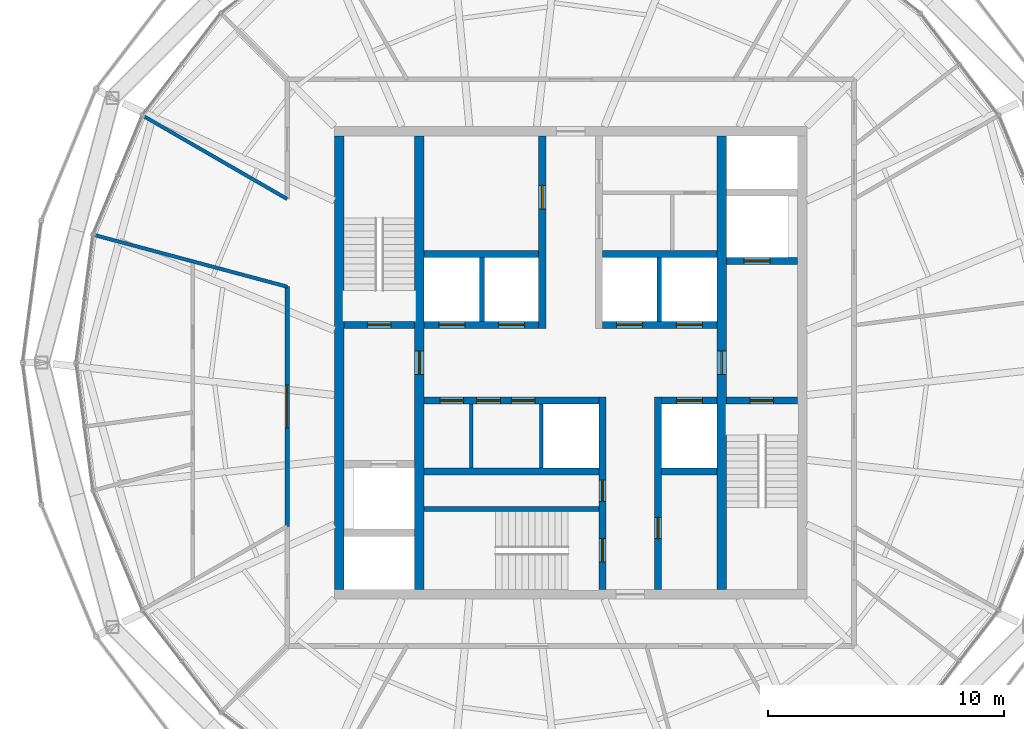
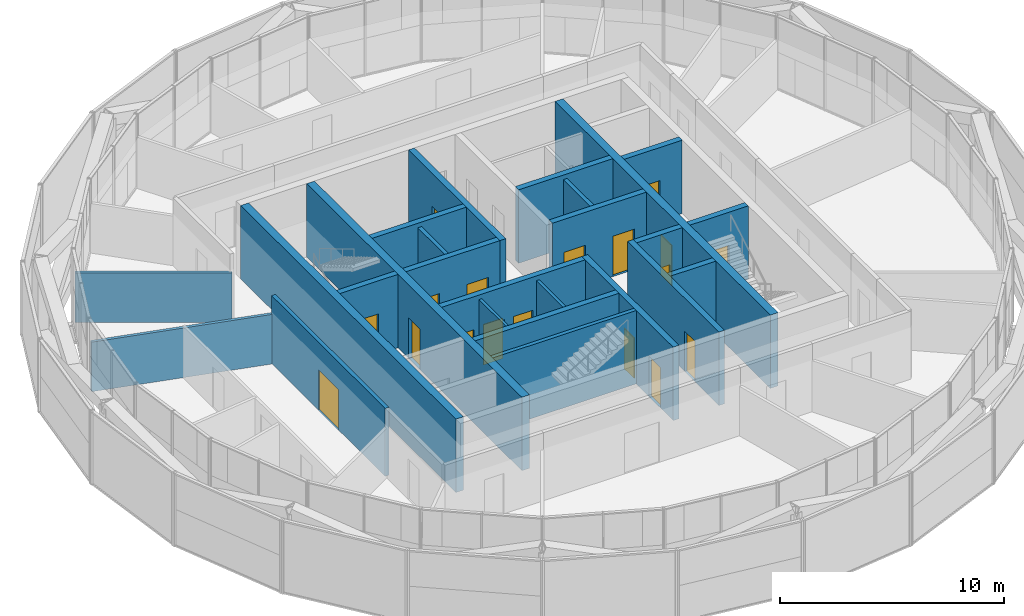
# One storey, part 14 of 17: 25 walls, 18 doors, 18 openings.
"""IFC4 building model written with IfcOpenShell, lengths in metres."""

import ifcopenshell
import ifcopenshell.guid

model = None  # the IFC model being written
_history = None  # IfcOwnerHistory: only IFC2X3 demands one
_inside = {}  # id of a spatial element -> (the spatial element, [elements in it])
_under = {}  # id of a project, library or spatial element -> (it, [spatial elements below it])
_declared = {}  # id of a project -> (the project, [libraries it declares])
_typed = {}  # id of a type object -> (the type object, [elements of that type])
_made_of = {}  # id of a material, layer set ... -> (it, [elements and type objects made of it])


def new_model(schema):
    """Start an empty IFC model of exactly this schema.

    Asked for "IFC4X3", IfcOpenShell would pick the latest addendum, in which some entities
    have other attributes; the version numbers below select the first issue.
    IFC2X3 requires an IfcOwnerHistory on every rooted entity: one is made here for all.
    """
    global model, _history
    if schema == "IFC4X3":
        model = ifcopenshell.file(schema_version=(4, 3, 0, 0))
    else:
        model = ifcopenshell.file(schema=schema)
    _inside.clear()
    _under.clear()
    _declared.clear()
    _typed.clear()
    _made_of.clear()
    _history = None
    if model.schema == "IFC2X3":
        org = make("IfcOrganization", Name="unknown")
        user = make(
            "IfcPersonAndOrganization",
            ThePerson=make("IfcPerson", FamilyName="unknown"),
            TheOrganization=org,
        )
        app = make(
            "IfcApplication",
            ApplicationDeveloper=org,
            Version="unknown",
            ApplicationFullName="unknown",
            ApplicationIdentifier="unknown",
        )
        _history = make(
            "IfcOwnerHistory",
            OwningUser=user,
            OwningApplication=app,
            ChangeAction="ADDED",
            CreationDate=0,
        )
    return model


def make(cls, **values):
    """One entity of the class cls with the attributes given. An attribute that is None is left unset."""
    return model.create_entity(
        cls, **{name: value for name, value in values.items() if value is not None}
    )


def rooted(cls, **values):
    """An entity with a GlobalId (a new one), such as an element, a storey or a relation."""
    return make(cls, GlobalId=ifcopenshell.guid.new(), OwnerHistory=_history, **values)


def si_unit(unit_type, name, prefix=None):
    """IfcSIUnit, for example si_unit("LENGTHUNIT", "METRE", prefix="MILLI")."""
    return make("IfcSIUnit", UnitType=unit_type, Prefix=prefix, Name=name)


def assignment(units):
    """IfcUnitAssignment: the units of a project."""
    return None if units is None else make("IfcUnitAssignment", Units=units)


def point(xyz):
    """IfcCartesianPoint."""
    return None if xyz is None else make("IfcCartesianPoint", Coordinates=xyz)


def direction(xyz):
    """IfcDirection."""
    return None if xyz is None else make("IfcDirection", DirectionRatios=xyz)


def frame(location, z_axis=None, x_axis=None):
    """IfcAxis2Placement3D, a coordinate frame: its origin and axes. An axis left out is left unset."""
    return make(
        "IfcAxis2Placement3D",
        Location=point(location),
        Axis=direction(z_axis),
        RefDirection=direction(x_axis),
    )


def frame_2d(location, x_axis=None):
    """IfcAxis2Placement2D, a coordinate frame in the plane: its origin and x axis."""
    return make(
        "IfcAxis2Placement2D", Location=point(location), RefDirection=direction(x_axis)
    )


def origin():
    """The frame at (0, 0, 0) with its axes left unset."""
    return frame((0.0, 0.0, 0.0))


def place(relative_to, where):
    """IfcLocalPlacement: puts the frame where relative to a parent placement (None: the world)."""
    return make(
        "IfcLocalPlacement", PlacementRelTo=relative_to, RelativePlacement=where
    )


def context(
    kind, dimensions, precision=None, world=None, true_north=None, identifier=None
):
    """IfcGeometricRepresentationContext, for example the 3D "Model" context."""
    return make(
        "IfcGeometricRepresentationContext",
        ContextIdentifier=identifier,
        ContextType=kind,
        CoordinateSpaceDimension=dimensions,
        Precision=precision,
        WorldCoordinateSystem=world,
        TrueNorth=true_north,
    )


def subcontext(parent, identifier, kind, view, scale=None):
    """IfcGeometricRepresentationSubContext, for example "Body" below "Model"."""
    return make(
        "IfcGeometricRepresentationSubContext",
        ContextIdentifier=identifier,
        ContextType=kind,
        ParentContext=parent,
        TargetScale=scale,
        TargetView=view,
    )


def project(units=None, contexts=None):
    """IfcProject with its units and contexts."""
    return rooted(
        "IfcProject",
        Name="project",
        RepresentationContexts=contexts,
        UnitsInContext=assignment(units),
    )


def spatial(cls, under=None, at=None, **own):
    """A site, building, storey or space (cls), placed at a placement, below another one or the project."""
    s = rooted(cls, ObjectPlacement=at, **own)
    if under is not None:
        _under.setdefault(under.id(), (under, []))[1].append(s)
    return s


def profile(cls, at=None, kind="AREA", **sizes):
    """A parametric profile (cls). Its sizes go by their IFC names, for example OverallWidth=200.0."""
    return make(cls, ProfileType=kind, Position=at, **sizes)


def rectangle(**sizes):
    """IfcRectangleProfileDef."""
    return profile("IfcRectangleProfileDef", **sizes)


def extrude(swept, where, along, depth):
    """IfcExtrudedAreaSolid: the profile swept, set in the frame where, extruded along a direction by depth."""
    return make(
        "IfcExtrudedAreaSolid",
        SweptArea=swept,
        Position=where,
        ExtrudedDirection=direction(along),
        Depth=depth,
    )


def shape(context_of_items, identifier, shape_type, items):
    """IfcShapeRepresentation: the items that make up one representation, for example the "Body"."""
    return make(
        "IfcShapeRepresentation",
        ContextOfItems=context_of_items,
        RepresentationIdentifier=identifier,
        RepresentationType=shape_type,
        Items=items,
    )


def material(Name=None, Category=None):
    """IfcMaterial."""
    return make("IfcMaterial", Name=Name, Category=Category)


def layer(
    of_material, thickness, ventilated=None, Name=None, Category=None, Priority=None
):
    """IfcMaterialLayer: one layer of a wall or slab, of a material (None: an air gap)."""
    return make(
        "IfcMaterialLayer",
        Material=of_material,
        LayerThickness=thickness,
        IsVentilated=ventilated,
        Name=Name,
        Category=Category,
        Priority=Priority,
    )


def layer_set(layers, Name=None):
    """IfcMaterialLayerSet."""
    return make("IfcMaterialLayerSet", MaterialLayers=layers, LayerSetName=Name)


def made_of(thing, what):
    """Note that an element or type object is made of a material, layer set ...; save() writes the relation."""
    if what is not None:
        _made_of.setdefault(what.id(), (what, []))[1].append(thing)
    return thing


def type_object(cls, material=None, **own):
    """A type object (cls), such as IfcWallType, which elements share."""
    return made_of(rooted(cls, **own), material)


def element(
    cls,
    number,
    at=None,
    inside=None,
    cuts=None,
    type_object=None,
    material=None,
    context=None,
    identifier="Body",
    shape_type=None,
    held_by="IfcProductDefinitionShape",
    body=None,
    shapes=None,
    **own,
):
    """One element of the class cls, such as IfcWall. Its Tag is "e" and its number.

    at: its placement. inside: the storey or other place that contains it. cuts: it is an
    opening in that element (IfcRelVoidsElement). A single representation is given by context,
    identifier, shape_type and body (its items); several are given by shapes. held_by: the class
    of the entity that holds the representations. save() writes the other relations.
    """
    e = rooted(cls, Tag="e%d" % number, ObjectPlacement=at, **own)
    if body is not None:
        shapes = [shape(context, identifier, shape_type, body)]
    if shapes is not None:
        e.Representation = make(held_by, Representations=shapes)
    if inside is not None:
        _inside.setdefault(inside.id(), (inside, []))[1].append(e)
    if cuts is not None:
        rooted(
            "IfcRelVoidsElement", RelatingBuildingElement=cuts, RelatedOpeningElement=e
        )
    if type_object is not None:
        _typed.setdefault(type_object.id(), (type_object, []))[1].append(e)
    return made_of(e, material)


def fill(opening, filler):
    """IfcRelFillsElement: the door or window that sits in an opening."""
    return rooted(
        "IfcRelFillsElement",
        RelatingOpeningElement=opening,
        RelatedBuildingElement=filler,
    )


def aggregate(whole, parts):
    """IfcRelAggregates: a whole, such as a stair, and the parts it consists of."""
    return rooted("IfcRelAggregates", RelatingObject=whole, RelatedObjects=parts)


def save(model, path):
    """Write the relations noted so far, then the file.

    IfcRelAggregates (storeys below a building ...), IfcRelContainedInSpatialStructure (elements
    in a storey), IfcRelDefinesByType, IfcRelAssociatesMaterial and IfcRelDeclares: one each for
    every whole, place, type object, material and project.
    """
    for whole, parts in _under.values():
        aggregate(whole, parts)
    for where, things in _inside.values():
        rooted(
            "IfcRelContainedInSpatialStructure",
            RelatedElements=things,
            RelatingStructure=where,
        )
    for kind, things in _typed.values():
        rooted("IfcRelDefinesByType", RelatedObjects=things, RelatingType=kind)
    for what, things in _made_of.values():
        rooted("IfcRelAssociatesMaterial", RelatedObjects=things, RelatingMaterial=what)
    for by, libraries in _declared.values():
        rooted("IfcRelDeclares", RelatingContext=by, RelatedDefinitions=libraries)
    model.write(path)


model = new_model("IFC4")

# Units and contexts
model_context = context("Model", 3, precision=1e-05, world=origin(), true_north=direction((0.0, 1.0)))
body_context = subcontext(model_context, "Body", "Model", "MODEL_VIEW")
ifc_project = project(units=[si_unit("LENGTHUNIT", "METRE"), si_unit("AREAUNIT", "SQUARE_METRE"), si_unit("VOLUMEUNIT", "CUBIC_METRE"), si_unit("PLANEANGLEUNIT", "RADIAN"), si_unit("MASSUNIT", "GRAM", prefix="KILO")], contexts=[model_context])

# Site, building, storey
site_placement = place(None, origin())
site = spatial("IfcSite", under=ifc_project, at=site_placement, CompositionType="ELEMENT")
building_placement = place(site_placement, origin())
building = spatial("IfcBuilding", under=site, at=building_placement, Name="Golbaran Civic Tower", CompositionType="ELEMENT")
storey_placement = place(building_placement, frame((0.0, 0.0, 280.0)))
storey = spatial("IfcBuildingStorey", under=building, at=storey_placement, Name="L68", CompositionType="ELEMENT", Elevation=280.0)

# Walls
ifc_material_1 = material(Name="Concrete block", Category="concrete")
ifc_layer_1 = layer(ifc_material_1, 0.14990234375, Name="Concrete block")
ifc_layer_set_1 = layer_set([ifc_layer_1], Name="Concrete block")
wall_type_1 = type_object("IfcWallType", Name="BLOCKWORK PARTITION 150", PredefinedType="PARTITIONING", material=ifc_layer_set_1)
for number, where, z_axis, x_axis, name in (
    (1, (-4.199951171875, -1.75, 0.0), (0.0, 0.0, 1.0), (0.0, -1.0, 0.0), "Core room partition HP0 L68"),
    (2, (-1.25, -1.75, 0.0), (0.0, 0.0, 1.0), (0.0, -1.0, 0.0), "Lift H3 hoistway west wall L68"),
):
    element("IfcWall", number, at=place(storey_placement, frame(where, z_axis=z_axis, x_axis=x_axis)), inside=storey, type_object=wall_type_1, Name=name, PredefinedType="PARTITIONING", context=body_context, shape_type="SweptSolid", body=[
        extrude(rectangle(XDim=2.699951171875, YDim=0.14990234375, at=frame_2d((1.35009765625, 0.0))), origin(), (0.0, 0.0, 1.0), 3.75),
    ])
ifc_material_2 = material(Name="Concrete C50/60", Category="concrete")
ifc_layer_2 = layer(ifc_material_2, 0.39990234375, Name="Concrete C50/60")
ifc_layer_set_2 = layer_set([ifc_layer_2], Name="Concrete C50/60")
wall_type_2 = type_object("IfcWallType", Name="CORE WALL CONCRETE 400", PredefinedType="SOLIDWALL", material=ifc_layer_set_2)
wall_1_placement = place(storey_placement, frame((-9.800048828125, 9.60009765625, 0.0), z_axis=(0.0, 0.0, 1.0), x_axis=(0.0, -1.0, 0.0)))
element("IfcWall", 3, at=wall_1_placement, inside=storey, type_object=wall_type_2, Name="Core wall CW L68", PredefinedType="SOLIDWALL", context=body_context, shape_type="SweptSolid", body=[
    extrude(rectangle(XDim=19.2001953125, YDim=0.39990234375, at=frame_2d((9.60009765625, 0.0))), origin(), (0.0, 0.0, 1.0), 4.0),
])

# Wall, opening, door
wall_2_placement = place(storey_placement, frame((-6.39990234375, -9.60009765625, 0.0), z_axis=(0.0, 0.0, 1.0), x_axis=(0.0, 1.0, 0.0)))
wall_2 = element("IfcWall", 4, at=wall_2_placement, inside=storey, type_object=wall_type_2, Name="Core wall IW L68", PredefinedType="SOLIDWALL", context=body_context, shape_type="SweptSolid", body=[
    extrude(rectangle(XDim=19.2001953125, YDim=0.39990234375, at=frame_2d((9.60009765625, 0.0))), origin(), (0.0, 0.0, 1.0), 4.0),
])
opening_1_placement = place(wall_2_placement, frame((9.10009765625, 0.0, 0.0)))
opening_1 = element("IfcOpeningElement", 5, at=opening_1_placement, cuts=wall_2, Name="Opening L68.FL1", PredefinedType="OPENING", context=body_context, shape_type="SweptSolid", body=[
    extrude(rectangle(XDim=1.0, YDim=2.199951171875, at=frame_2d((0.5, 1.10009765625))), frame((0.0, 0.2099609375, 0.0), z_axis=(0.0, -1.0, 0.0), x_axis=(1.0, 0.0, 0.0)), (0.0, 0.0, 1.0), 0.419921875),
])
ifc_material_3 = material(Name="Timber door set in steel frame", Category="steel")
door_type_1 = type_object("IfcDoorType", Name="STAIR DOOR 1000x2200", OperationType="SINGLE_SWING_LEFT", PredefinedType="DOOR", material=ifc_material_3)
door_1_placement = place(opening_1_placement, origin())
door_1 = element("IfcDoor", 6, at=door_1_placement, inside=storey, type_object=door_type_1, Name="Fire-fighting lobby FL1 door", OperationType="SINGLE_SWING_LEFT", OverallHeight=2.199951171875, OverallWidth=1.0, PredefinedType="DOOR", context=body_context, shape_type="SweptSolid", body=[
    extrude(rectangle(XDim=1.0, YDim=2.199951171875, at=frame_2d((0.5, 1.10009765625))), frame((0.0, 0.02490234375, 0.0), z_axis=(0.0, -1.0, 0.0), x_axis=(1.0, 0.0, 0.0)), (0.0, 0.0, 1.0), 0.050048828125),
])
fill(opening_1, door_1)

wall_3_placement = place(storey_placement, frame((6.39990234375, 9.60009765625, 0.0), z_axis=(0.0, 0.0, 1.0), x_axis=(0.0, -1.0, 0.0)))
wall_3 = element("IfcWall", 7, at=wall_3_placement, inside=storey, type_object=wall_type_2, Name="Core wall IE L68", PredefinedType="SOLIDWALL", context=body_context, shape_type="SweptSolid", body=[
    extrude(rectangle(XDim=19.2001953125, YDim=0.39990234375, at=frame_2d((9.60009765625, 0.0))), origin(), (0.0, 0.0, 1.0), 4.0),
])
opening_2_placement = place(wall_3_placement, frame((9.10009765625, 0.0, 0.0)))
opening_2 = element("IfcOpeningElement", 8, at=opening_2_placement, cuts=wall_3, Name="Opening L68.FL2", PredefinedType="OPENING", context=body_context, shape_type="SweptSolid", body=[
    extrude(rectangle(XDim=1.0, YDim=2.199951171875, at=frame_2d((0.5, 1.10009765625))), frame((0.0, 0.2099609375, 0.0), z_axis=(0.0, -1.0, 0.0), x_axis=(1.0, 0.0, 0.0)), (0.0, 0.0, 1.0), 0.419921875),
])
door_2_placement = place(opening_2_placement, origin())
door_2 = element("IfcDoor", 9, at=door_2_placement, inside=storey, type_object=door_type_1, Name="Fire-fighting lobby FL2 door", OperationType="SINGLE_SWING_RIGHT", OverallHeight=2.199951171875, OverallWidth=1.0, PredefinedType="DOOR", context=body_context, shape_type="SweptSolid", body=[
    extrude(rectangle(XDim=1.0, YDim=2.199951171875, at=frame_2d((0.5, 1.10009765625))), frame((0.0, 0.02490234375, 0.0), z_axis=(0.0, -1.0, 0.0), x_axis=(1.0, 0.0, 0.0)), (0.0, 0.0, 1.0), 0.050048828125),
])
fill(opening_2, door_2)

ifc_material_4 = material(Name="Gypsum board on steel studs, fire-rated", Category="steel")
ifc_layer_3 = layer(ifc_material_4, 0.199951171875, Name="Gypsum board on steel studs, fire-rated")
ifc_layer_set_3 = layer_set([ifc_layer_3], Name="Gypsum board on steel studs, fire-rated")
wall_type_3 = type_object("IfcWallType", Name="CORRIDOR WALL 200", PredefinedType="PARTITIONING", material=ifc_layer_set_3)
wall_4_placement = place(storey_placement, frame((-12.0, 3.21533203125, 0.0), z_axis=(0.0, 0.0, 1.0), x_axis=(0.0, -1.0, 0.0)))
wall_4 = element("IfcWall", 10, at=wall_4_placement, inside=storey, type_object=wall_type_3, Name="Corridor wall L68", PredefinedType="PARTITIONING", context=body_context, shape_type="SweptSolid", body=[
    extrude(rectangle(XDim=10.1435546875, YDim=0.199951171875, at=frame_2d((5.07177734375, 0.0))), origin(), (0.0, 0.0, 1.0), 3.699951171875),
])
opening_3_placement = place(wall_4_placement, frame((4.171875, 0.0, 0.0)))
opening_3 = element("IfcOpeningElement", 11, at=opening_3_placement, cuts=wall_4, Name="Opening L68.15", PredefinedType="OPENING", context=body_context, shape_type="SweptSolid", body=[
    extrude(rectangle(XDim=1.800048828125, YDim=2.199951171875, at=frame_2d((0.89990234375, 1.10009765625))), frame((0.0, 0.10986328125, 0.0), z_axis=(0.0, -1.0, 0.0), x_axis=(1.0, 0.0, 0.0)), (0.0, 0.0, 1.0), 0.219970703125),
])
door_type_2 = type_object("IfcDoorType", Name="OFFICE DOUBLE DOOR 1800x2200", OperationType="DOUBLE_DOOR_SINGLE_SWING", PredefinedType="DOOR", material=ifc_material_3)
door_3_placement = place(opening_3_placement, origin())
door_3 = element("IfcDoor", 12, at=door_3_placement, inside=storey, type_object=door_type_2, Name="Secretariat door L68", OperationType="DOUBLE_DOOR_SINGLE_SWING", OverallHeight=2.199951171875, OverallWidth=1.800048828125, PredefinedType="DOOR", context=body_context, shape_type="SweptSolid", body=[
    extrude(rectangle(XDim=1.800048828125, YDim=2.199951171875, at=frame_2d((0.89990234375, 1.10009765625))), frame((0.0, 0.02490234375, 0.0), z_axis=(0.0, -1.0, 0.0), x_axis=(1.0, 0.0, 0.0)), (0.0, 0.0, 1.0), 0.050048828125),
])
fill(opening_3, door_3)

# Walls
ifc_layer_4 = layer(ifc_material_1, 0.199951171875, Name="Concrete block")
ifc_layer_set_4 = layer_set([ifc_layer_4], Name="Concrete block")
wall_type_4 = type_object("IfcWallType", Name="LIFT SEPARATOR WALL 200", PredefinedType="SOLIDWALL", material=ifc_layer_set_4)
for number, where, z_axis, x_axis, name in (
    (13, (-3.75, 1.75, 0.0), (0.0, 0.0, 1.0), (0.0, 1.0, 0.0), "Core partition SNW L68"),
    (14, (3.75, 1.75, 0.0), (0.0, 0.0, 1.0), (0.0, 1.0, 0.0), "Core partition SNE L68"),
):
    element("IfcWall", number, at=place(storey_placement, frame(where, z_axis=z_axis, x_axis=x_axis)), inside=storey, type_object=wall_type_4, Name=name, PredefinedType="SOLIDWALL", context=body_context, shape_type="SweptSolid", body=[
        extrude(rectangle(XDim=2.699951171875, YDim=0.199951171875, at=frame_2d((1.35009765625, 0.0))), origin(), (0.0, 0.0, 1.0), 3.75),
    ])
ifc_material_5 = material(Name="Gypsum board on steel studs", Category="steel")
ifc_layer_5 = layer(ifc_material_5, 0.14990234375, Name="Gypsum board on steel studs")
ifc_layer_set_5 = layer_set([ifc_layer_5], Name="Gypsum board on steel studs")
wall_type_5 = type_object("IfcWallType", Name="OFFICE PARTITION 150", PredefinedType="PARTITIONING", material=ifc_layer_set_5)
wall_5_placement = place(storey_placement, frame((-12.0, 6.92822265625, 0.0), z_axis=(0.0, 0.0, 1.0), x_axis=(-0.866031452229, 0.49998952364, 0.0)))
element("IfcWall", 15, at=wall_5_placement, inside=storey, type_object=wall_type_5, Name="Partition 150 L68", PredefinedType="PARTITIONING", context=body_context, shape_type="SweptSolid", body=[
    extrude(rectangle(XDim=6.989990234375, YDim=0.14990234375, at=frame_2d((3.4951171875, 0.0))), origin(), (0.0, 0.0, 1.0), 2.699951171875),
])
wall_6_placement = place(storey_placement, frame((-12.0, 3.21533203125, 0.0), z_axis=(0.0, 0.0, 1.0), x_axis=(-0.96592152797, 0.258835086115, 0.0)))
element("IfcWall", 16, at=wall_6_placement, inside=storey, type_object=wall_type_5, Name="Partition 165 L68", PredefinedType="PARTITIONING", context=body_context, shape_type="SweptSolid", body=[
    extrude(rectangle(XDim=8.423095703125, YDim=0.14990234375, at=frame_2d((4.21142578125, 0.0))), origin(), (0.0, 0.0, 1.0), 2.699951171875),
])
ifc_layer_6 = layer(ifc_material_2, 0.199951171875, Name="Concrete C50/60")
ifc_layer_set_6 = layer_set([ifc_layer_6], Name="Concrete C50/60")
wall_type_6 = type_object("IfcWallType", Name="SHAFT WALL CONCRETE 200", PredefinedType="SOLIDWALL", material=ifc_layer_set_6)
wall_7_placement = place(storey_placement, frame((-6.199951171875, -6.199951171875, 0.0), z_axis=(0.0, 0.0, 1.0), x_axis=(1.0, 0.0, 0.0)))
element("IfcWall", 17, at=wall_7_placement, inside=storey, type_object=wall_type_6, Name="Core wall S3N L68", PredefinedType="SOLIDWALL", context=body_context, shape_type="SweptSolid", body=[
    extrude(rectangle(XDim=7.39990234375, YDim=0.199951171875, at=frame_2d((3.699951171875, 0.0))), origin(), (0.0, 0.0, 1.0), 4.0),
])

# Wall, openings, doors
ifc_layer_7 = layer(ifc_material_2, 0.300048828125, Name="Concrete C50/60")
ifc_layer_set_7 = layer_set([ifc_layer_7], Name="Concrete C50/60")
wall_type_7 = type_object("IfcWallType", Name="SHAFT WALL CONCRETE 300", PredefinedType="SOLIDWALL", material=ifc_layer_set_7)
wall_8_placement = place(storey_placement, frame((-6.199951171875, 1.60009765625, 0.0), z_axis=(0.0, 0.0, 1.0), x_axis=(1.0, 0.0, 0.0)))
wall_8 = element("IfcWall", 18, at=wall_8_placement, inside=storey, type_object=wall_type_7, Name="Core wall FNW L68", PredefinedType="SOLIDWALL", context=body_context, shape_type="SweptSolid", body=[
    extrude(rectangle(XDim=4.849853515625, YDim=0.300048828125, at=frame_2d((2.4248046875, 0.0))), origin(), (0.0, 0.0, 1.0), 4.0),
])
opening_4_placement = place(wall_8_placement, frame((0.625, 0.0, 0.0)))
opening_4 = element("IfcOpeningElement", 19, at=opening_4_placement, cuts=wall_8, Name="Opening L68.LD-Z1T", PredefinedType="OPENING", context=body_context, shape_type="SweptSolid", body=[
    extrude(rectangle(XDim=1.10009765625, YDim=2.199951171875, at=frame_2d((0.550048828125, 1.10009765625))), frame((0.0, 0.159912109375, 0.0), z_axis=(0.0, -1.0, 0.0), x_axis=(1.0, 0.0, 0.0)), (0.0, 0.0, 1.0), 0.320068359375),
])
opening_5_placement = place(wall_8_placement, frame((3.14990234375, 0.0, 0.0)))
opening_5 = element("IfcOpeningElement", 20, at=opening_5_placement, cuts=wall_8, Name="Opening L68.LD-Z2T", PredefinedType="OPENING", context=body_context, shape_type="SweptSolid", body=[
    extrude(rectangle(XDim=1.10009765625, YDim=2.199951171875, at=frame_2d((0.550048828125, 1.10009765625))), frame((0.0, 0.159912109375, 0.0), z_axis=(0.0, -1.0, 0.0), x_axis=(1.0, 0.0, 0.0)), (0.0, 0.0, 1.0), 0.320068359375),
])
ifc_material_6 = material(Name="Stainless steel", Category="steel")
door_type_3 = type_object("IfcDoorType", Name="LIFT LANDING DOOR 1100x2200", OperationType="SLIDING_TO_LEFT", PredefinedType="DOOR", material=ifc_material_6)
door_4_placement = place(opening_4_placement, origin())
door_4 = element("IfcDoor", 21, at=door_4_placement, inside=storey, type_object=door_type_3, Name="Lift landing door Z1T", OperationType="SLIDING_TO_LEFT", OverallHeight=2.199951171875, OverallWidth=1.10009765625, PredefinedType="DOOR", context=body_context, shape_type="SweptSolid", body=[
    extrude(rectangle(XDim=1.10009765625, YDim=2.199951171875, at=frame_2d((0.550048828125, 1.10009765625))), frame((0.0, 0.02490234375, 0.0), z_axis=(0.0, -1.0, 0.0), x_axis=(1.0, 0.0, 0.0)), (0.0, 0.0, 1.0), 0.050048828125),
])
fill(opening_4, door_4)
door_5_placement = place(opening_5_placement, origin())
door_5 = element("IfcDoor", 22, at=door_5_placement, inside=storey, type_object=door_type_3, Name="Lift landing door Z2T", OperationType="SLIDING_TO_LEFT", OverallHeight=2.199951171875, OverallWidth=1.10009765625, PredefinedType="DOOR", context=body_context, shape_type="SweptSolid", body=[
    extrude(rectangle(XDim=1.10009765625, YDim=2.199951171875, at=frame_2d((0.550048828125, 1.10009765625))), frame((0.0, 0.02490234375, 0.0), z_axis=(0.0, -1.0, 0.0), x_axis=(1.0, 0.0, 0.0)), (0.0, 0.0, 1.0), 0.050048828125),
])
fill(opening_5, door_5)

wall_9_placement = place(storey_placement, frame((1.35009765625, 1.60009765625, 0.0), z_axis=(0.0, 0.0, 1.0), x_axis=(1.0, 0.0, 0.0)))
wall_9 = element("IfcWall", 23, at=wall_9_placement, inside=storey, type_object=wall_type_7, Name="Core wall FNE L68", PredefinedType="SOLIDWALL", context=body_context, shape_type="SweptSolid", body=[
    extrude(rectangle(XDim=4.849853515625, YDim=0.300048828125, at=frame_2d((2.4248046875, 0.0))), origin(), (0.0, 0.0, 1.0), 4.0),
])
opening_6_placement = place(wall_9_placement, frame((0.60009765625, 0.0, 0.0)))
opening_6 = element("IfcOpeningElement", 24, at=opening_6_placement, cuts=wall_9, Name="Opening L68.LD-Z3T", PredefinedType="OPENING", context=body_context, shape_type="SweptSolid", body=[
    extrude(rectangle(XDim=1.10009765625, YDim=2.199951171875, at=frame_2d((0.550048828125, 1.10009765625))), frame((0.0, 0.159912109375, 0.0), z_axis=(0.0, -1.0, 0.0), x_axis=(1.0, 0.0, 0.0)), (0.0, 0.0, 1.0), 0.320068359375),
])
opening_7_placement = place(wall_9_placement, frame((3.125, 0.0, 0.0)))
opening_7 = element("IfcOpeningElement", 25, at=opening_7_placement, cuts=wall_9, Name="Opening L68.LD-Z4T", PredefinedType="OPENING", context=body_context, shape_type="SweptSolid", body=[
    extrude(rectangle(XDim=1.10009765625, YDim=2.199951171875, at=frame_2d((0.550048828125, 1.10009765625))), frame((0.0, 0.159912109375, 0.0), z_axis=(0.0, -1.0, 0.0), x_axis=(1.0, 0.0, 0.0)), (0.0, 0.0, 1.0), 0.320068359375),
])
door_6_placement = place(opening_6_placement, origin())
door_6 = element("IfcDoor", 26, at=door_6_placement, inside=storey, type_object=door_type_3, Name="Lift landing door Z3T", OperationType="SLIDING_TO_LEFT", OverallHeight=2.199951171875, OverallWidth=1.10009765625, PredefinedType="DOOR", context=body_context, shape_type="SweptSolid", body=[
    extrude(rectangle(XDim=1.10009765625, YDim=2.199951171875, at=frame_2d((0.550048828125, 1.10009765625))), frame((0.0, 0.02490234375, 0.0), z_axis=(0.0, -1.0, 0.0), x_axis=(1.0, 0.0, 0.0)), (0.0, 0.0, 1.0), 0.050048828125),
])
fill(opening_6, door_6)
door_7_placement = place(opening_7_placement, origin())
door_7 = element("IfcDoor", 27, at=door_7_placement, inside=storey, type_object=door_type_3, Name="Lift landing door Z4T", OperationType="SLIDING_TO_LEFT", OverallHeight=2.199951171875, OverallWidth=1.10009765625, PredefinedType="DOOR", context=body_context, shape_type="SweptSolid", body=[
    extrude(rectangle(XDim=1.10009765625, YDim=2.199951171875, at=frame_2d((0.550048828125, 1.10009765625))), frame((0.0, 0.02490234375, 0.0), z_axis=(0.0, -1.0, 0.0), x_axis=(1.0, 0.0, 0.0)), (0.0, 0.0, 1.0), 0.050048828125),
])
fill(opening_7, door_7)

# Walls
for number, where, z_axis, x_axis, name in (
    (28, (-6.199951171875, 4.60009765625, 0.0), (0.0, 0.0, 1.0), (1.0, 0.0, 0.0), "Core wall BNW L68"),
    (29, (1.35009765625, 4.60009765625, 0.0), (0.0, 0.0, 1.0), (1.0, 0.0, 0.0), "Core wall BNE L68"),
):
    element("IfcWall", number, at=place(storey_placement, frame(where, z_axis=z_axis, x_axis=x_axis)), inside=storey, type_object=wall_type_7, Name=name, PredefinedType="SOLIDWALL", context=body_context, shape_type="SweptSolid", body=[
        extrude(rectangle(XDim=4.849853515625, YDim=0.300048828125, at=frame_2d((2.4248046875, 0.0))), origin(), (0.0, 0.0, 1.0), 4.0),
    ])

# Wall, opening, door
wall_10_placement = place(storey_placement, frame((-1.199951171875, 1.449951171875, 0.0), z_axis=(0.0, 0.0, 1.0), x_axis=(0.0, 1.0, 0.0)))
wall_10 = element("IfcWall", 30, at=wall_10_placement, inside=storey, type_object=wall_type_7, Name="Core wall PNW L68", PredefinedType="SOLIDWALL", context=body_context, shape_type="SweptSolid", body=[
    extrude(rectangle(XDim=8.150146484375, YDim=0.300048828125, at=frame_2d((4.0751953125, 0.0))), origin(), (0.0, 0.0, 1.0), 4.0),
])
opening_8_placement = place(wall_10_placement, frame((5.050048828125, 0.0, 0.0)))
opening_8 = element("IfcOpeningElement", 31, at=opening_8_placement, cuts=wall_10, Name="Opening L68.WCM", PredefinedType="OPENING", context=body_context, shape_type="SweptSolid", body=[
    extrude(rectangle(XDim=1.0, YDim=2.199951171875, at=frame_2d((0.5, 1.10009765625))), frame((0.0, 0.159912109375, 0.0), z_axis=(0.0, -1.0, 0.0), x_axis=(1.0, 0.0, 0.0)), (0.0, 0.0, 1.0), 0.320068359375),
])
door_type_4 = type_object("IfcDoorType", Name="TOILET DOOR 1000x2200", OperationType="SINGLE_SWING_LEFT", PredefinedType="DOOR", material=ifc_material_3)
door_8_placement = place(opening_8_placement, origin())
door_8 = element("IfcDoor", 32, at=door_8_placement, inside=storey, type_object=door_type_4, Name="North-west toilet block door", OperationType="SINGLE_SWING_RIGHT", OverallHeight=2.199951171875, OverallWidth=1.0, PredefinedType="DOOR", context=body_context, shape_type="SweptSolid", body=[
    extrude(rectangle(XDim=1.0, YDim=2.199951171875, at=frame_2d((0.5, 1.10009765625))), frame((0.0, 0.02490234375, 0.0), z_axis=(0.0, -1.0, 0.0), x_axis=(1.0, 0.0, 0.0)), (0.0, 0.0, 1.0), 0.050048828125),
])
fill(opening_8, door_8)

# Wall, openings, doors
wall_11_placement = place(storey_placement, frame((-6.199951171875, -1.60009765625, 0.0), z_axis=(0.0, 0.0, 1.0), x_axis=(1.0, 0.0, 0.0)))
wall_11 = element("IfcWall", 33, at=wall_11_placement, inside=storey, type_object=wall_type_7, Name="Core wall FSW L68", PredefinedType="SOLIDWALL", context=body_context, shape_type="SweptSolid", body=[
    extrude(rectangle(XDim=7.39990234375, YDim=0.300048828125, at=frame_2d((3.699951171875, 0.0))), origin(), (0.0, 0.0, 1.0), 4.0),
])
opening_9_placement = place(wall_11_placement, frame((0.675048828125, 0.0, 0.0)))
opening_9 = element("IfcOpeningElement", 34, at=opening_9_placement, cuts=wall_11, Name="Opening L68.H1R", PredefinedType="OPENING", context=body_context, shape_type="SweptSolid", body=[
    extrude(rectangle(XDim=1.0, YDim=2.199951171875, at=frame_2d((0.5, 1.10009765625))), frame((0.0, 0.159912109375, 0.0), z_axis=(0.0, -1.0, 0.0), x_axis=(1.0, 0.0, 0.0)), (0.0, 0.0, 1.0), 0.320068359375),
])
opening_10_placement = place(wall_11_placement, frame((2.22509765625, 0.0, 0.0)))
opening_10 = element("IfcOpeningElement", 35, at=opening_10_placement, cuts=wall_11, Name="Opening L68.H2R", PredefinedType="OPENING", context=body_context, shape_type="SweptSolid", body=[
    extrude(rectangle(XDim=1.0, YDim=2.199951171875, at=frame_2d((0.5, 1.10009765625))), frame((0.0, 0.159912109375, 0.0), z_axis=(0.0, -1.0, 0.0), x_axis=(1.0, 0.0, 0.0)), (0.0, 0.0, 1.0), 0.320068359375),
])
opening_11_placement = place(wall_11_placement, frame((3.695068359375, 0.0, 0.0)))
opening_11 = element("IfcOpeningElement", 36, at=opening_11_placement, cuts=wall_11, Name="Opening L68.H3R", PredefinedType="OPENING", context=body_context, shape_type="SweptSolid", body=[
    extrude(rectangle(XDim=1.0, YDim=2.199951171875, at=frame_2d((0.5, 1.10009765625))), frame((0.0, 0.159912109375, 0.0), z_axis=(0.0, -1.0, 0.0), x_axis=(1.0, 0.0, 0.0)), (0.0, 0.0, 1.0), 0.320068359375),
])
door_type_5 = type_object("IfcDoorType", Name="CORE ROOM DOOR 1000x2200", OperationType="SINGLE_SWING_LEFT", PredefinedType="DOOR", material=ifc_material_3)
door_9_placement = place(opening_9_placement, origin())
door_9 = element("IfcDoor", 37, at=door_9_placement, inside=storey, type_object=door_type_5, Name="IT Room door", OperationType="SINGLE_SWING_LEFT", OverallHeight=2.199951171875, OverallWidth=1.0, PredefinedType="DOOR", context=body_context, shape_type="SweptSolid", body=[
    extrude(rectangle(XDim=1.0, YDim=2.199951171875, at=frame_2d((0.5, 1.10009765625))), frame((0.0, 0.02490234375, 0.0), z_axis=(0.0, -1.0, 0.0), x_axis=(1.0, 0.0, 0.0)), (0.0, 0.0, 1.0), 0.050048828125),
])
fill(opening_9, door_9)
door_10_placement = place(opening_10_placement, origin())
door_10 = element("IfcDoor", 38, at=door_10_placement, inside=storey, type_object=door_type_5, Name="Staff Pantry and Vending Room door", OperationType="SINGLE_SWING_LEFT", OverallHeight=2.199951171875, OverallWidth=1.0, PredefinedType="DOOR", context=body_context, shape_type="SweptSolid", body=[
    extrude(rectangle(XDim=1.0, YDim=2.199951171875, at=frame_2d((0.5, 1.10009765625))), frame((0.0, 0.02490234375, 0.0), z_axis=(0.0, -1.0, 0.0), x_axis=(1.0, 0.0, 0.0)), (0.0, 0.0, 1.0), 0.050048828125),
])
fill(opening_10, door_10)
door_11_placement = place(opening_11_placement, origin())
door_11 = element("IfcDoor", 39, at=door_11_placement, inside=storey, type_object=door_type_5, Name="Staff Pantry and Vending Room door", OperationType="SINGLE_SWING_RIGHT", OverallHeight=2.199951171875, OverallWidth=1.0, PredefinedType="DOOR", context=body_context, shape_type="SweptSolid", body=[
    extrude(rectangle(XDim=1.0, YDim=2.199951171875, at=frame_2d((0.5, 1.10009765625))), frame((0.0, 0.02490234375, 0.0), z_axis=(0.0, -1.0, 0.0), x_axis=(1.0, 0.0, 0.0)), (0.0, 0.0, 1.0), 0.050048828125),
])
fill(opening_11, door_11)

# Wall, opening, door
wall_12_placement = place(storey_placement, frame((3.85009765625, -1.60009765625, 0.0), z_axis=(0.0, 0.0, 1.0), x_axis=(1.0, 0.0, 0.0)))
wall_12 = element("IfcWall", 40, at=wall_12_placement, inside=storey, type_object=wall_type_7, Name="Core wall FSE L68", PredefinedType="SOLIDWALL", context=body_context, shape_type="SweptSolid", body=[
    extrude(rectangle(XDim=2.349853515625, YDim=0.300048828125, at=frame_2d((1.1748046875, 0.0))), origin(), (0.0, 0.0, 1.0), 4.0),
])
opening_12_placement = place(wall_12_placement, frame((0.625, 0.0, 0.0)))
opening_12 = element("IfcOpeningElement", 41, at=opening_12_placement, cuts=wall_12, Name="Opening L68.LD-V1", PredefinedType="OPENING", context=body_context, shape_type="SweptSolid", body=[
    extrude(rectangle(XDim=1.10009765625, YDim=2.199951171875, at=frame_2d((0.550048828125, 1.10009765625))), frame((0.0, 0.159912109375, 0.0), z_axis=(0.0, -1.0, 0.0), x_axis=(1.0, 0.0, 0.0)), (0.0, 0.0, 1.0), 0.320068359375),
])
door_12_placement = place(opening_12_placement, origin())
door_12 = element("IfcDoor", 42, at=door_12_placement, inside=storey, type_object=door_type_3, Name="Lift landing door V1", OperationType="SLIDING_TO_LEFT", OverallHeight=2.199951171875, OverallWidth=1.10009765625, PredefinedType="DOOR", context=body_context, shape_type="SweptSolid", body=[
    extrude(rectangle(XDim=1.10009765625, YDim=2.199951171875, at=frame_2d((0.550048828125, 1.10009765625))), frame((0.0, 0.02490234375, 0.0), z_axis=(0.0, -1.0, 0.0), x_axis=(1.0, 0.0, 0.0)), (0.0, 0.0, 1.0), 0.050048828125),
])
fill(opening_12, door_12)

# Walls
wall_13_placement = place(storey_placement, frame((-6.199951171875, -4.60009765625, 0.0), z_axis=(0.0, 0.0, 1.0), x_axis=(1.0, 0.0, 0.0)))
element("IfcWall", 43, at=wall_13_placement, inside=storey, type_object=wall_type_7, Name="Core wall BSW L68", PredefinedType="SOLIDWALL", context=body_context, shape_type="SweptSolid", body=[
    extrude(rectangle(XDim=7.39990234375, YDim=0.300048828125, at=frame_2d((3.699951171875, 0.0))), origin(), (0.0, 0.0, 1.0), 4.0),
])
wall_14_placement = place(storey_placement, frame((3.85009765625, -4.60009765625, 0.0), z_axis=(0.0, 0.0, 1.0), x_axis=(1.0, 0.0, 0.0)))
element("IfcWall", 44, at=wall_14_placement, inside=storey, type_object=wall_type_7, Name="Core wall BSE L68", PredefinedType="SOLIDWALL", context=body_context, shape_type="SweptSolid", body=[
    extrude(rectangle(XDim=2.349853515625, YDim=0.300048828125, at=frame_2d((1.1748046875, 0.0))), origin(), (0.0, 0.0, 1.0), 4.0),
])

# Wall, openings, doors
wall_15_placement = place(storey_placement, frame((1.35009765625, -1.449951171875, 0.0), z_axis=(0.0, 0.0, 1.0), x_axis=(0.0, -1.0, 0.0)))
wall_15 = element("IfcWall", 45, at=wall_15_placement, inside=storey, type_object=wall_type_7, Name="Core wall PSW L68", PredefinedType="SOLIDWALL", context=body_context, shape_type="SweptSolid", body=[
    extrude(rectangle(XDim=8.150146484375, YDim=0.300048828125, at=frame_2d((4.0751953125, 0.0))), origin(), (0.0, 0.0, 1.0), 4.0),
])
opening_13_placement = place(wall_15_placement, frame((6.0, 0.0, 0.0)))
opening_13 = element("IfcOpeningElement", 46, at=opening_13_placement, cuts=wall_15, Name="Opening L68.S3", PredefinedType="OPENING", context=body_context, shape_type="SweptSolid", body=[
    extrude(rectangle(XDim=1.0, YDim=2.199951171875, at=frame_2d((0.5, 1.10009765625))), frame((0.0, 0.159912109375, 0.0), z_axis=(0.0, -1.0, 0.0), x_axis=(1.0, 0.0, 0.0)), (0.0, 0.0, 1.0), 0.320068359375),
])
opening_14_placement = place(wall_15_placement, frame((3.52490234375, 0.0, 0.0)))
opening_14 = element("IfcOpeningElement", 47, at=opening_14_placement, cuts=wall_15, Name="Opening L68.RE", PredefinedType="OPENING", context=body_context, shape_type="SweptSolid", body=[
    extrude(rectangle(XDim=0.89990234375, YDim=2.199951171875, at=frame_2d((0.449951171875, 1.10009765625))), frame((0.0, 0.159912109375, 0.0), z_axis=(0.0, -1.0, 0.0), x_axis=(1.0, 0.0, 0.0)), (0.0, 0.0, 1.0), 0.320068359375),
])
door_type_6 = type_object("IfcDoorType", Name="RISER DOOR 900x2200", OperationType="SINGLE_SWING_LEFT", PredefinedType="DOOR", material=ifc_material_3)
door_13_placement = place(opening_14_placement, origin())
door_13 = element("IfcDoor", 48, at=door_13_placement, inside=storey, type_object=door_type_6, Name="Electrical riser door", OperationType="SINGLE_SWING_LEFT", OverallHeight=2.199951171875, OverallWidth=0.89990234375, PredefinedType="DOOR", context=body_context, shape_type="SweptSolid", body=[
    extrude(rectangle(XDim=0.89990234375, YDim=2.199951171875, at=frame_2d((0.449951171875, 1.10009765625))), frame((0.0, 0.02490234375, 0.0), z_axis=(0.0, -1.0, 0.0), x_axis=(1.0, 0.0, 0.0)), (0.0, 0.0, 1.0), 0.050048828125),
])
fill(opening_14, door_13)
door_14_placement = place(opening_13_placement, origin())
door_14 = element("IfcDoor", 49, at=door_14_placement, inside=storey, type_object=door_type_1, Name="Stair S3 door", OperationType="SINGLE_SWING_RIGHT", OverallHeight=2.199951171875, OverallWidth=1.0, PredefinedType="DOOR", context=body_context, shape_type="SweptSolid", body=[
    extrude(rectangle(XDim=1.0, YDim=2.199951171875, at=frame_2d((0.5, 1.10009765625))), frame((0.0, 0.02490234375, 0.0), z_axis=(0.0, -1.0, 0.0), x_axis=(1.0, 0.0, 0.0)), (0.0, 0.0, 1.0), 0.050048828125),
])
fill(opening_13, door_14)

# Wall, opening, door
wall_16_placement = place(storey_placement, frame((3.699951171875, -1.449951171875, 0.0), z_axis=(0.0, 0.0, 1.0), x_axis=(0.0, -1.0, 0.0)))
wall_16 = element("IfcWall", 50, at=wall_16_placement, inside=storey, type_object=wall_type_7, Name="Core wall PSE L68", PredefinedType="SOLIDWALL", context=body_context, shape_type="SweptSolid", body=[
    extrude(rectangle(XDim=8.150146484375, YDim=0.300048828125, at=frame_2d((4.0751953125, 0.0))), origin(), (0.0, 0.0, 1.0), 4.0),
])
opening_15_placement = place(wall_16_placement, frame((5.10009765625, 0.0, 0.0)))
opening_15 = element("IfcOpeningElement", 51, at=opening_15_placement, cuts=wall_16, Name="Opening L68.RM", PredefinedType="OPENING", context=body_context, shape_type="SweptSolid", body=[
    extrude(rectangle(XDim=0.89990234375, YDim=2.199951171875, at=frame_2d((0.449951171875, 1.10009765625))), frame((0.0, 0.159912109375, 0.0), z_axis=(0.0, -1.0, 0.0), x_axis=(1.0, 0.0, 0.0)), (0.0, 0.0, 1.0), 0.320068359375),
])
door_15_placement = place(opening_15_placement, origin())
door_15 = element("IfcDoor", 52, at=door_15_placement, inside=storey, type_object=door_type_6, Name="Mechanical riser door", OperationType="SINGLE_SWING_RIGHT", OverallHeight=2.199951171875, OverallWidth=0.89990234375, PredefinedType="DOOR", context=body_context, shape_type="SweptSolid", body=[
    extrude(rectangle(XDim=0.89990234375, YDim=2.199951171875, at=frame_2d((0.449951171875, 1.10009765625))), frame((0.0, 0.02490234375, 0.0), z_axis=(0.0, -1.0, 0.0), x_axis=(1.0, 0.0, 0.0)), (0.0, 0.0, 1.0), 0.050048828125),
])
fill(opening_15, door_15)

wall_17_placement = place(storey_placement, frame((-9.60009765625, 1.60009765625, 0.0), z_axis=(0.0, 0.0, 1.0), x_axis=(1.0, 0.0, 0.0)))
wall_17 = element("IfcWall", 53, at=wall_17_placement, inside=storey, type_object=wall_type_7, Name="Core wall XW1 L68", PredefinedType="SOLIDWALL", context=body_context, shape_type="SweptSolid", body=[
    extrude(rectangle(XDim=3.0, YDim=0.300048828125, at=frame_2d((1.5, 0.0))), origin(), (0.0, 0.0, 1.0), 4.0),
])
opening_16_placement = place(wall_17_placement, frame((1.0, 0.0, 0.0)))
opening_16 = element("IfcOpeningElement", 54, at=opening_16_placement, cuts=wall_17, Name="Opening L68.S1", PredefinedType="OPENING", context=body_context, shape_type="SweptSolid", body=[
    extrude(rectangle(XDim=1.0, YDim=2.199951171875, at=frame_2d((0.5, 1.10009765625))), frame((0.0, 0.159912109375, 0.0), z_axis=(0.0, -1.0, 0.0), x_axis=(1.0, 0.0, 0.0)), (0.0, 0.0, 1.0), 0.320068359375),
])
door_16_placement = place(opening_16_placement, origin())
door_16 = element("IfcDoor", 55, at=door_16_placement, inside=storey, type_object=door_type_1, Name="Stair S1 door", OperationType="SINGLE_SWING_LEFT", OverallHeight=2.199951171875, OverallWidth=1.0, PredefinedType="DOOR", context=body_context, shape_type="SweptSolid", body=[
    extrude(rectangle(XDim=1.0, YDim=2.199951171875, at=frame_2d((0.5, 1.10009765625))), frame((0.0, 0.02490234375, 0.0), z_axis=(0.0, -1.0, 0.0), x_axis=(1.0, 0.0, 0.0)), (0.0, 0.0, 1.0), 0.050048828125),
])
fill(opening_16, door_16)

wall_18_placement = place(storey_placement, frame((6.60009765625, -1.60009765625, 0.0), z_axis=(0.0, 0.0, 1.0), x_axis=(1.0, 0.0, 0.0)))
wall_18 = element("IfcWall", 56, at=wall_18_placement, inside=storey, type_object=wall_type_7, Name="Core wall XE1 L68", PredefinedType="SOLIDWALL", context=body_context, shape_type="SweptSolid", body=[
    extrude(rectangle(XDim=3.0, YDim=0.300048828125, at=frame_2d((1.5, 0.0))), origin(), (0.0, 0.0, 1.0), 4.0),
])
opening_17_placement = place(wall_18_placement, frame((1.0, 0.0, 0.0)))
opening_17 = element("IfcOpeningElement", 57, at=opening_17_placement, cuts=wall_18, Name="Opening L68.S2", PredefinedType="OPENING", context=body_context, shape_type="SweptSolid", body=[
    extrude(rectangle(XDim=1.0, YDim=2.199951171875, at=frame_2d((0.5, 1.10009765625))), frame((0.0, 0.159912109375, 0.0), z_axis=(0.0, -1.0, 0.0), x_axis=(1.0, 0.0, 0.0)), (0.0, 0.0, 1.0), 0.320068359375),
])
door_17_placement = place(opening_17_placement, origin())
door_17 = element("IfcDoor", 58, at=door_17_placement, inside=storey, type_object=door_type_1, Name="Stair S2 door", OperationType="SINGLE_SWING_LEFT", OverallHeight=2.199951171875, OverallWidth=1.0, PredefinedType="DOOR", context=body_context, shape_type="SweptSolid", body=[
    extrude(rectangle(XDim=1.0, YDim=2.199951171875, at=frame_2d((0.5, 1.10009765625))), frame((0.0, 0.02490234375, 0.0), z_axis=(0.0, -1.0, 0.0), x_axis=(1.0, 0.0, 0.0)), (0.0, 0.0, 1.0), 0.050048828125),
])
fill(opening_17, door_17)

wall_19_placement = place(storey_placement, frame((6.60009765625, 4.300048828125, 0.0), z_axis=(0.0, 0.0, 1.0), x_axis=(1.0, 0.0, 0.0)))
wall_19 = element("IfcWall", 59, at=wall_19_placement, inside=storey, type_object=wall_type_7, Name="Core wall XE2 L68", PredefinedType="SOLIDWALL", context=body_context, shape_type="SweptSolid", body=[
    extrude(rectangle(XDim=3.0, YDim=0.300048828125, at=frame_2d((1.5, 0.0))), origin(), (0.0, 0.0, 1.0), 4.0),
])
opening_18_placement = place(wall_19_placement, frame((0.75, 0.0, 0.0)))
opening_18 = element("IfcOpeningElement", 60, at=opening_18_placement, cuts=wall_19, Name="Opening L68.LD-F2", PredefinedType="OPENING", context=body_context, shape_type="SweptSolid", body=[
    extrude(rectangle(XDim=1.10009765625, YDim=2.199951171875, at=frame_2d((0.550048828125, 1.10009765625))), frame((0.0, 0.159912109375, 0.0), z_axis=(0.0, -1.0, 0.0), x_axis=(1.0, 0.0, 0.0)), (0.0, 0.0, 1.0), 0.320068359375),
])
door_18_placement = place(opening_18_placement, origin())
door_18 = element("IfcDoor", 61, at=door_18_placement, inside=storey, type_object=door_type_3, Name="Lift landing door F2", OperationType="SLIDING_TO_LEFT", OverallHeight=2.199951171875, OverallWidth=1.10009765625, PredefinedType="DOOR", context=body_context, shape_type="SweptSolid", body=[
    extrude(rectangle(XDim=1.10009765625, YDim=2.199951171875, at=frame_2d((0.550048828125, 1.10009765625))), frame((0.0, 0.02490234375, 0.0), z_axis=(0.0, -1.0, 0.0), x_axis=(1.0, 0.0, 0.0)), (0.0, 0.0, 1.0), 0.050048828125),
])
fill(opening_18, door_18)

save(model, "model.ifc")
